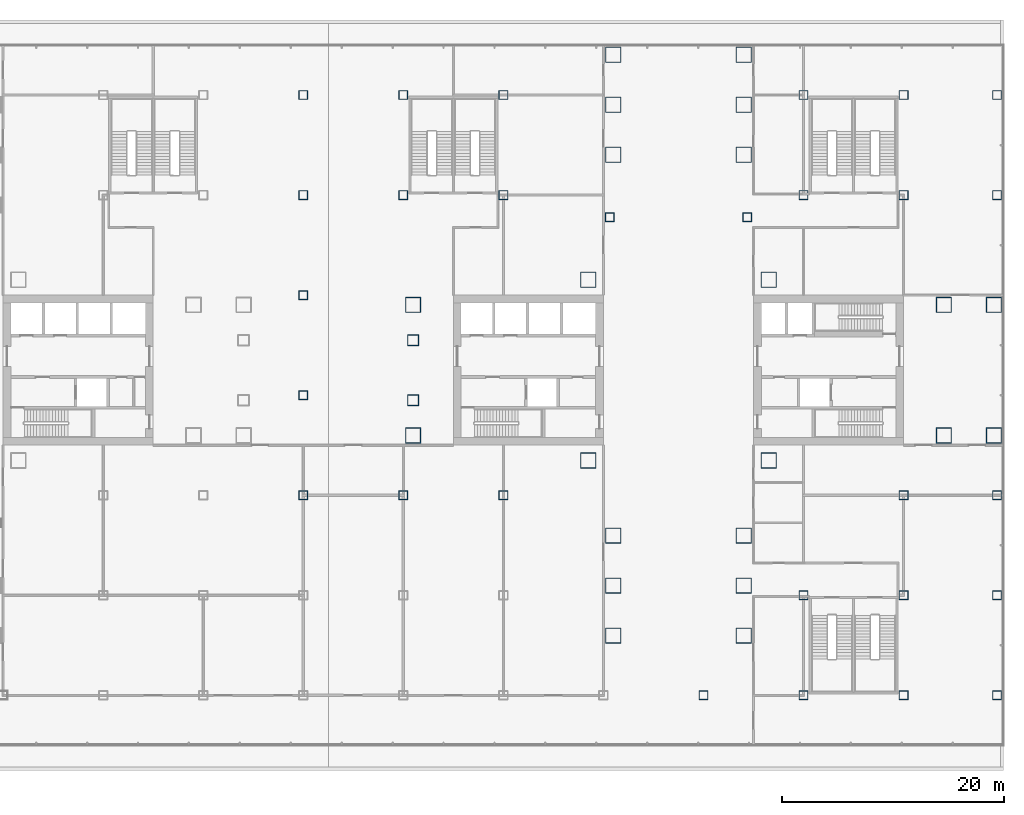
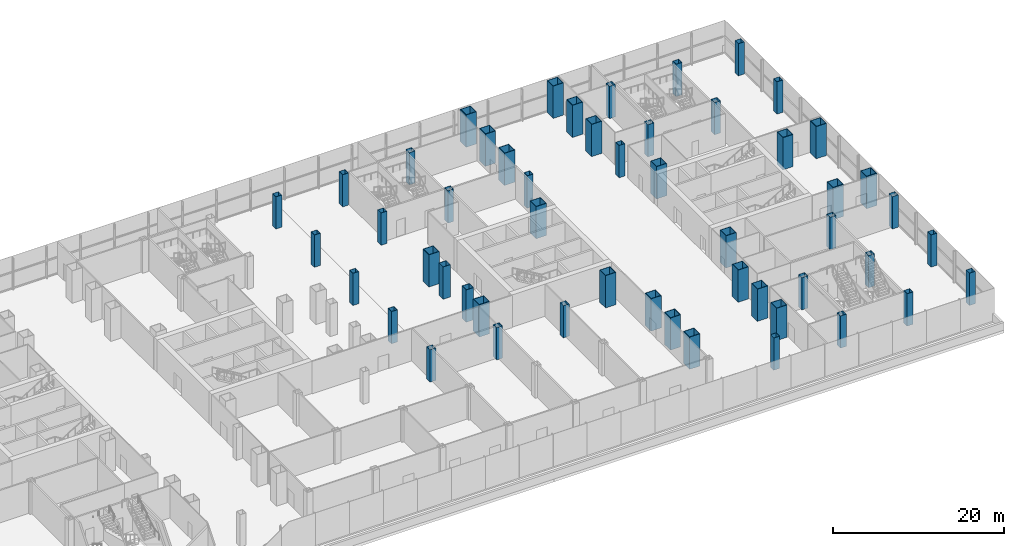
# One storey, part 2 of 33: 52 columns.
"""IFC4 building model written with IfcOpenShell, lengths in metres."""

from ifc_helpers import new_model, si_unit, direction, frame, origin, origin_2d, place, context, subcontext, project, spatial, hollow_rectangle, extrude, material, material_profile, profile_set, type_object, element, save


model = new_model("IFC4")

# Units and contexts
model_context = context("Model", 3, precision=1e-05, world=origin(), true_north=direction((0.0, 1.0)))
body_context = subcontext(model_context, "Body", "Model", "MODEL_VIEW")
ifc_project = project(units=[si_unit("LENGTHUNIT", "METRE"), si_unit("AREAUNIT", "SQUARE_METRE"), si_unit("VOLUMEUNIT", "CUBIC_METRE"), si_unit("PLANEANGLEUNIT", "RADIAN"), si_unit("MASSUNIT", "GRAM", prefix="KILO")], contexts=[model_context])

# Site, building, storey
site_placement = place(None, origin())
site = spatial("IfcSite", under=ifc_project, at=site_placement, CompositionType="ELEMENT")
building_placement = place(site_placement, origin())
building = spatial("IfcBuilding", under=site, at=building_placement, Name="Shamsa Quay Exchange Towers", CompositionType="ELEMENT")
storey_placement = place(building_placement, frame((0.0, 0.0, 18.5)))
storey = spatial("IfcBuildingStorey", under=building, at=storey_placement, Name="L03", CompositionType="ELEMENT", Elevation=18.5)

# Columns
ifc_material_1 = material(Name="Concrete-filled steel tube S355 / C80/95", Category="concrete")
ifc_material_profile_1 = material_profile(ifc_material_1, hollow_rectangle(XDim=1.39990234375, YDim=1.39990234375, WallThickness=0.06005859375, at=origin_2d()), Name="CFT 1400x1400x60")
ifc_profile_set_1 = profile_set([ifc_material_profile_1], Name="Concrete-filled steel tube S355 / C80/95")
column_type_1 = type_object("IfcColumnType", Name="Column CFT 1400x1400x60", PredefinedType="COLUMN", material=ifc_profile_set_1)
for number, where, name in (
    (1, (25.625, 8.125, 0.0), "Mega column T2-CM01"),
    (2, (41.875, 8.125, 0.0), "Mega column T2-CM02"),
    (3, (25.625, -8.125, 0.0), "Mega column T2-CM03"),
    (4, (41.875, -8.125, 0.0), "Mega column T2-CM04"),
    (5, (39.625, 19.375, 0.0), "Mega column T2-CM06"),
    (6, (39.625, 23.875, 0.0), "Mega column T2-CM07"),
    (7, (39.625, 28.375, 0.0), "Mega column T2-CM08"),
    (8, (27.875, 19.375, 0.0), "Mega column T2-CM10"),
    (9, (27.875, 23.875, 0.0), "Mega column T2-CM11"),
    (10, (27.875, 28.375, 0.0), "Mega column T2-CM12"),
    (11, (39.625, -14.875, 0.0), "Mega column T2-CM13"),
    (12, (39.625, -19.375, 0.0), "Mega column T2-CM14"),
    (13, (39.625, -23.875, 0.0), "Mega column T2-CM15"),
    (14, (27.875, -14.875, 0.0), "Mega column T2-CM16"),
    (15, (27.875, -19.375, 0.0), "Mega column T2-CM17"),
    (16, (27.875, -23.875, 0.0), "Mega column T2-CM18"),
    (17, (9.875, -5.875, 0.0), "Mega column T2-CM19"),
    (18, (9.875, 5.875, 0.0), "Mega column T2-CM20"),
    (19, (57.625, -5.875, 0.0), "Mega column T2-CM21"),
    (20, (62.125, -5.875, 0.0), "Mega column T2-CM22"),
    (21, (57.625, 5.875, 0.0), "Mega column T2-CM23"),
    (22, (62.125, 5.875, 0.0), "Mega column T2-CM24"),
):
    element("IfcColumn", number, at=place(storey_placement, frame(where)), inside=storey, type_object=column_type_1, Name=name, PredefinedType="COLUMN", context=body_context, shape_type="SweptSolid", body=[
        extrude(hollow_rectangle(XDim=1.39990234375, YDim=1.39990234375, WallThickness=0.06005859375, at=origin_2d()), origin(), (0.0, 0.0, 1.0), 4.60009765625),
    ])
ifc_material_2 = material(Name="Concrete-filled steel tube S355 / C60/75", Category="concrete")
ifc_material_profile_2 = material_profile(ifc_material_2, hollow_rectangle(XDim=0.800048828125, YDim=0.800048828125, WallThickness=0.030029296875, at=origin_2d()), Name="CFT 800x800x30")
ifc_profile_set_2 = profile_set([ifc_material_profile_2], Name="Concrete-filled steel tube S355 / C60/75")
column_type_2 = type_object("IfcColumnType", Name="Column CFT 800x800x30", PredefinedType="COLUMN", material=ifc_profile_set_2)
for number, where, name in (
    (23, (39.9375, 13.75, 0.0), "Perimeter column T2-CP05"),
    (24, (27.5625, 13.75, 0.0), "Perimeter column T2-CP09"),
    (25, (0.0, -11.25, 0.0), "Perimeter column PD-C+0000-0112"),
    (26, (0.0, -2.25, 0.0), "Perimeter column PD-C+0000-0022"),
    (27, (0.0, 6.75, 0.0), "Perimeter column PD-C+0000+0068"),
    (28, (0.0, 15.75, 0.0), "Perimeter column PD-C+0000+0158"),
    (29, (0.0, 24.75, 0.0), "Perimeter column PD-C+0000+0248"),
    (30, (9.0, -11.25, 0.0), "Perimeter column PD-C+0090-0112"),
    (31, (9.0, 15.75, 0.0), "Perimeter column PD-C+0090+0158"),
    (32, (9.0, 24.75, 0.0), "Perimeter column PD-C+0090+0248"),
    (33, (18.0, -11.25, 0.0), "Perimeter column PD-C+0180-0112"),
    (34, (18.0, 15.75, 0.0), "Perimeter column PD-C+0180+0158"),
    (35, (18.0, 24.75, 0.0), "Perimeter column PD-C+0180+0248"),
    (36, (36.0, -29.25, 0.0), "Perimeter column PD-C+0360-0292"),
    (37, (45.0, -29.25, 0.0), "Perimeter column PD-C+0450-0292"),
    (38, (45.0, -20.25, 0.0), "Perimeter column PD-C+0450-0202"),
    (39, (45.0, 15.75, 0.0), "Perimeter column PD-C+0450+0158"),
    (40, (45.0, 24.75, 0.0), "Perimeter column PD-C+0450+0248"),
    (41, (54.0, -29.25, 0.0), "Perimeter column PD-C+0540-0292"),
    (42, (54.0, -20.25, 0.0), "Perimeter column PD-C+0540-0202"),
    (43, (54.0, -11.25, 0.0), "Perimeter column PD-C+0540-0112"),
    (44, (54.0, 15.75, 0.0), "Perimeter column PD-C+0540+0158"),
    (45, (54.0, 24.75, 0.0), "Perimeter column PD-C+0540+0248"),
    (46, (62.39990234375, -29.25, 0.0), "Perimeter column PD-C+0630-0292"),
    (47, (62.39990234375, -20.25, 0.0), "Perimeter column PD-C+0630-0202"),
    (48, (62.39990234375, -11.25, 0.0), "Perimeter column PD-C+0630-0112"),
    (49, (62.39990234375, 15.75, 0.0), "Perimeter column PD-C+0630+0158"),
    (50, (62.39990234375, 24.75, 0.0), "Perimeter column PD-C+0630+0248"),
):
    element("IfcColumn", number, at=place(storey_placement, frame(where)), inside=storey, type_object=column_type_2, Name=name, PredefinedType="COLUMN", context=body_context, shape_type="SweptSolid", body=[
        extrude(hollow_rectangle(XDim=0.800048828125, YDim=0.800048828125, WallThickness=0.030029296875, at=origin_2d()), origin(), (0.0, 0.0, 1.0), 4.60009765625),
    ])
ifc_material_3 = material(Name="Concrete-filled steel tube S355 / C70/85", Category="concrete")
ifc_material_profile_3 = material_profile(ifc_material_3, hollow_rectangle(XDim=1.0, YDim=1.0, WallThickness=0.0400390625, at=origin_2d()), Name="CFT 1000x1000x40")
ifc_profile_set_3 = profile_set([ifc_material_profile_3], Name="Concrete-filled steel tube S355 / C70/85")
column_type_3 = type_object("IfcColumnType", Name="Landing column CFT 1000x1000x40", PredefinedType="COLUMN", material=ifc_profile_set_3)
for number, where, name in (
    (51, (9.875, -2.699951171875, 0.0), "Landing column T2 S"),
    (52, (9.875, 2.699951171875, 0.0), "Landing column T2 N"),
):
    element("IfcColumn", number, at=place(storey_placement, frame(where)), inside=storey, type_object=column_type_3, Name=name, PredefinedType="COLUMN", context=body_context, shape_type="SweptSolid", body=[
        extrude(hollow_rectangle(XDim=1.0, YDim=1.0, WallThickness=0.0400390625, at=origin_2d()), origin(), (0.0, 0.0, 1.0), 4.60009765625),
    ])

save(model, "model.ifc")
